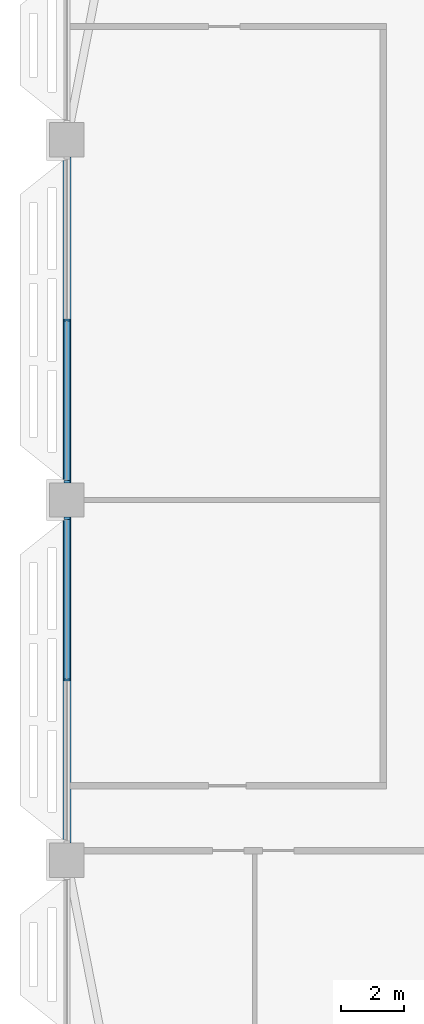
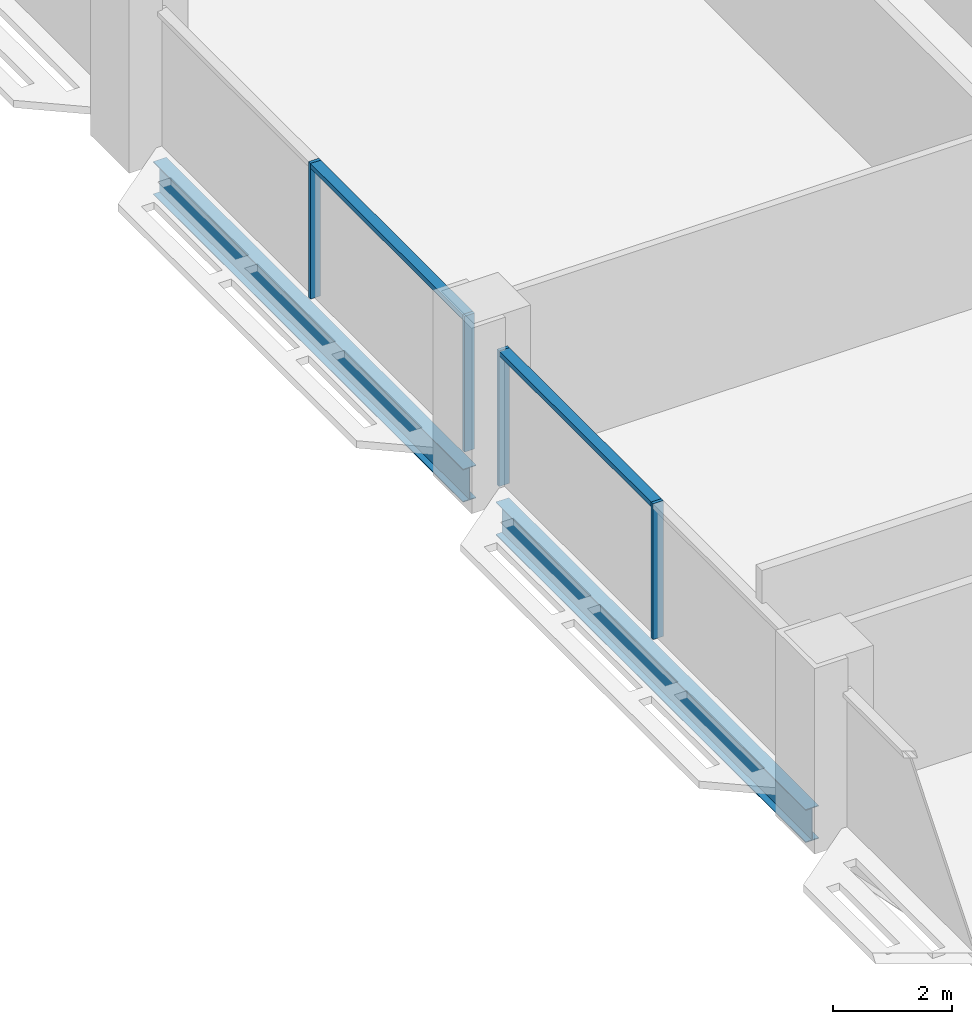
# One storey, part 5 of 29: 6 members, 2 beams, 2 elements without a shape of their own.
"""IFC4 building model written with IfcOpenShell, lengths in metres."""

import ifcopenshell
import ifcopenshell.guid

model = None  # the IFC model being written
_history = None  # IfcOwnerHistory: only IFC2X3 demands one
_inside = {}  # id of a spatial element -> (the spatial element, [elements in it])
_under = {}  # id of a project, library or spatial element -> (it, [spatial elements below it])
_declared = {}  # id of a project -> (the project, [libraries it declares])
_typed = {}  # id of a type object -> (the type object, [elements of that type])
_made_of = {}  # id of a material, layer set ... -> (it, [elements and type objects made of it])


def new_model(schema):
    """Start an empty IFC model of exactly this schema.

    Asked for "IFC4X3", IfcOpenShell would pick the latest addendum, in which some entities
    have other attributes; the version numbers below select the first issue.
    IFC2X3 requires an IfcOwnerHistory on every rooted entity: one is made here for all.
    """
    global model, _history
    if schema == "IFC4X3":
        model = ifcopenshell.file(schema_version=(4, 3, 0, 0))
    else:
        model = ifcopenshell.file(schema=schema)
    _inside.clear()
    _under.clear()
    _declared.clear()
    _typed.clear()
    _made_of.clear()
    _history = None
    if model.schema == "IFC2X3":
        org = make("IfcOrganization", Name="unknown")
        user = make(
            "IfcPersonAndOrganization",
            ThePerson=make("IfcPerson", FamilyName="unknown"),
            TheOrganization=org,
        )
        app = make(
            "IfcApplication",
            ApplicationDeveloper=org,
            Version="unknown",
            ApplicationFullName="unknown",
            ApplicationIdentifier="unknown",
        )
        _history = make(
            "IfcOwnerHistory",
            OwningUser=user,
            OwningApplication=app,
            ChangeAction="ADDED",
            CreationDate=0,
        )
    return model


def make(cls, **values):
    """One entity of the class cls with the attributes given. An attribute that is None is left unset."""
    return model.create_entity(
        cls, **{name: value for name, value in values.items() if value is not None}
    )


def rooted(cls, **values):
    """An entity with a GlobalId (a new one), such as an element, a storey or a relation."""
    return make(cls, GlobalId=ifcopenshell.guid.new(), OwnerHistory=_history, **values)


def si_unit(unit_type, name, prefix=None):
    """IfcSIUnit, for example si_unit("LENGTHUNIT", "METRE", prefix="MILLI")."""
    return make("IfcSIUnit", UnitType=unit_type, Prefix=prefix, Name=name)


def assignment(units):
    """IfcUnitAssignment: the units of a project."""
    return None if units is None else make("IfcUnitAssignment", Units=units)


def point(xyz):
    """IfcCartesianPoint."""
    return None if xyz is None else make("IfcCartesianPoint", Coordinates=xyz)


def direction(xyz):
    """IfcDirection."""
    return None if xyz is None else make("IfcDirection", DirectionRatios=xyz)


def frame(location, z_axis=None, x_axis=None):
    """IfcAxis2Placement3D, a coordinate frame: its origin and axes. An axis left out is left unset."""
    return make(
        "IfcAxis2Placement3D",
        Location=point(location),
        Axis=direction(z_axis),
        RefDirection=direction(x_axis),
    )


def frame_2d(location, x_axis=None):
    """IfcAxis2Placement2D, a coordinate frame in the plane: its origin and x axis."""
    return make(
        "IfcAxis2Placement2D", Location=point(location), RefDirection=direction(x_axis)
    )


def origin():
    """The frame at (0, 0, 0) with its axes left unset."""
    return frame((0.0, 0.0, 0.0))


def origin_2d():
    """The frame at (0, 0) in the plane with its x axis left unset."""
    return frame_2d((0.0, 0.0))


def place(relative_to, where):
    """IfcLocalPlacement: puts the frame where relative to a parent placement (None: the world)."""
    return make(
        "IfcLocalPlacement", PlacementRelTo=relative_to, RelativePlacement=where
    )


def context(
    kind, dimensions, precision=None, world=None, true_north=None, identifier=None
):
    """IfcGeometricRepresentationContext, for example the 3D "Model" context."""
    return make(
        "IfcGeometricRepresentationContext",
        ContextIdentifier=identifier,
        ContextType=kind,
        CoordinateSpaceDimension=dimensions,
        Precision=precision,
        WorldCoordinateSystem=world,
        TrueNorth=true_north,
    )


def subcontext(parent, identifier, kind, view, scale=None):
    """IfcGeometricRepresentationSubContext, for example "Body" below "Model"."""
    return make(
        "IfcGeometricRepresentationSubContext",
        ContextIdentifier=identifier,
        ContextType=kind,
        ParentContext=parent,
        TargetScale=scale,
        TargetView=view,
    )


def project(units=None, contexts=None):
    """IfcProject with its units and contexts."""
    return rooted(
        "IfcProject",
        Name="project",
        RepresentationContexts=contexts,
        UnitsInContext=assignment(units),
    )


def spatial(cls, under=None, at=None, **own):
    """A site, building, storey or space (cls), placed at a placement, below another one or the project."""
    s = rooted(cls, ObjectPlacement=at, **own)
    if under is not None:
        _under.setdefault(under.id(), (under, []))[1].append(s)
    return s


def profile(cls, at=None, kind="AREA", **sizes):
    """A parametric profile (cls). Its sizes go by their IFC names, for example OverallWidth=200.0."""
    return make(cls, ProfileType=kind, Position=at, **sizes)


def rectangle(**sizes):
    """IfcRectangleProfileDef."""
    return profile("IfcRectangleProfileDef", **sizes)


def i_section(**sizes):
    """IfcIShapeProfileDef."""
    return profile("IfcIShapeProfileDef", **sizes)


def extrude(swept, where, along, depth):
    """IfcExtrudedAreaSolid: the profile swept, set in the frame where, extruded along a direction by depth."""
    return make(
        "IfcExtrudedAreaSolid",
        SweptArea=swept,
        Position=where,
        ExtrudedDirection=direction(along),
        Depth=depth,
    )


def shape(context_of_items, identifier, shape_type, items):
    """IfcShapeRepresentation: the items that make up one representation, for example the "Body"."""
    return make(
        "IfcShapeRepresentation",
        ContextOfItems=context_of_items,
        RepresentationIdentifier=identifier,
        RepresentationType=shape_type,
        Items=items,
    )


def material(Name=None, Category=None):
    """IfcMaterial."""
    return make("IfcMaterial", Name=Name, Category=Category)


def material_profile(
    of_material, cross_section, Name=None, Category=None, Priority=None
):
    """IfcMaterialProfile: a cross section and its material."""
    return make(
        "IfcMaterialProfile",
        Name=Name,
        Material=of_material,
        Profile=cross_section,
        Priority=Priority,
        Category=Category,
    )


def profile_set(profiles, Name=None, composite=None):
    """IfcMaterialProfileSet."""
    return make(
        "IfcMaterialProfileSet",
        Name=Name,
        MaterialProfiles=profiles,
        CompositeProfile=composite,
    )


def made_of(thing, what):
    """Note that an element or type object is made of a material, layer set ...; save() writes the relation."""
    if what is not None:
        _made_of.setdefault(what.id(), (what, []))[1].append(thing)
    return thing


def type_object(cls, material=None, **own):
    """A type object (cls), such as IfcWallType, which elements share."""
    return made_of(rooted(cls, **own), material)


def element(
    cls,
    number,
    at=None,
    inside=None,
    cuts=None,
    type_object=None,
    material=None,
    context=None,
    identifier="Body",
    shape_type=None,
    held_by="IfcProductDefinitionShape",
    body=None,
    shapes=None,
    **own,
):
    """One element of the class cls, such as IfcWall. Its Tag is "e" and its number.

    at: its placement. inside: the storey or other place that contains it. cuts: it is an
    opening in that element (IfcRelVoidsElement). A single representation is given by context,
    identifier, shape_type and body (its items); several are given by shapes. held_by: the class
    of the entity that holds the representations. save() writes the other relations.
    """
    e = rooted(cls, Tag="e%d" % number, ObjectPlacement=at, **own)
    if body is not None:
        shapes = [shape(context, identifier, shape_type, body)]
    if shapes is not None:
        e.Representation = make(held_by, Representations=shapes)
    if inside is not None:
        _inside.setdefault(inside.id(), (inside, []))[1].append(e)
    if cuts is not None:
        rooted(
            "IfcRelVoidsElement", RelatingBuildingElement=cuts, RelatedOpeningElement=e
        )
    if type_object is not None:
        _typed.setdefault(type_object.id(), (type_object, []))[1].append(e)
    return made_of(e, material)


def aggregate(whole, parts):
    """IfcRelAggregates: a whole, such as a stair, and the parts it consists of."""
    return rooted("IfcRelAggregates", RelatingObject=whole, RelatedObjects=parts)


def save(model, path):
    """Write the relations noted so far, then the file.

    IfcRelAggregates (storeys below a building ...), IfcRelContainedInSpatialStructure (elements
    in a storey), IfcRelDefinesByType, IfcRelAssociatesMaterial and IfcRelDeclares: one each for
    every whole, place, type object, material and project.
    """
    for whole, parts in _under.values():
        aggregate(whole, parts)
    for where, things in _inside.values():
        rooted(
            "IfcRelContainedInSpatialStructure",
            RelatedElements=things,
            RelatingStructure=where,
        )
    for kind, things in _typed.values():
        rooted("IfcRelDefinesByType", RelatedObjects=things, RelatingType=kind)
    for what, things in _made_of.values():
        rooted("IfcRelAssociatesMaterial", RelatedObjects=things, RelatingMaterial=what)
    for by, libraries in _declared.values():
        rooted("IfcRelDeclares", RelatingContext=by, RelatedDefinitions=libraries)
    model.write(path)


model = new_model("IFC4")

# Units and contexts
model_context = context("Model", 3, precision=1e-05, world=origin(), true_north=direction((0.0, 1.0)))
body_context = subcontext(model_context, "Body", "Model", "MODEL_VIEW")
ifc_project = project(units=[si_unit("LENGTHUNIT", "METRE"), si_unit("AREAUNIT", "SQUARE_METRE"), si_unit("VOLUMEUNIT", "CUBIC_METRE"), si_unit("PLANEANGLEUNIT", "RADIAN"), si_unit("MASSUNIT", "GRAM", prefix="KILO")], contexts=[model_context])

# Site, building, storey
site_placement = place(None, origin())
site = spatial("IfcSite", under=ifc_project, at=site_placement, CompositionType="ELEMENT")
building_placement = place(site_placement, origin())
building = spatial("IfcBuilding", under=site, at=building_placement, Name="Mahtab Terrace Research Tower", CompositionType="ELEMENT")
storey_placement = place(building_placement, frame((0.0, 0.0, 197.699951171875)))
storey = spatial("IfcBuildingStorey", under=building, at=storey_placement, Name="L47", CompositionType="ELEMENT", Elevation=197.699951171875)

# Curtain wall, members
ifc_material_1 = material(Name="Laboratory ribbon curtain wall")
curtain_wall_type = type_object("IfcCurtainWallType", Name="Laboratory ribbon curtain wall", PredefinedType="NOTDEFINED", material=ifc_material_1)
curtain_wall_1_placement = place(storey_placement, origin())
curtain_wall_1 = element("IfcCurtainWall", 1, at=curtain_wall_1_placement, inside=storey, type_object=curtain_wall_type, Name="EN.L47.8.16", PredefinedType="NOTDEFINED")
ifc_material_2 = material(Name="Natural anodised aluminium", Category="aluminium")
ifc_material_profile_1 = material_profile(ifc_material_2, rectangle(XDim=0.199951171875, YDim=0.06494140625, at=origin_2d()), Name="MULLION 65x200")
ifc_profile_set_1 = profile_set([ifc_material_profile_1], Name="Natural anodised aluminium")
member_type_1 = type_object("IfcMemberType", Name="Laboratory ribbon curtain wall mullion", PredefinedType="MULLION", material=ifc_profile_set_1)
member_1_placement = place(storey_placement, frame((-42.0, 5.75, 0.0), z_axis=(0.0, 0.0, 1.0), x_axis=(1.0, 0.0, 0.0)))
member_1 = element("IfcMember", 2, at=member_1_placement, type_object=member_type_1, Name="CWL-6 mullion 2", PredefinedType="MULLION", context=body_context, shape_type="SweptSolid", body=[
    extrude(rectangle(XDim=0.199951171875, YDim=0.06494140625, at=origin_2d()), origin(), (0.0, 0.0, 1.0), 2.78173828125),
])
member_2_placement = place(storey_placement, frame((-42.0, 0.58251953125, 0.0), z_axis=(0.0, 0.0, 1.0), x_axis=(1.0, 0.0, 0.0)))
member_2 = element("IfcMember", 3, at=member_2_placement, type_object=member_type_1, Name="CWL-6 mullion 3", PredefinedType="MULLION", context=body_context, shape_type="SweptSolid", body=[
    extrude(rectangle(XDim=0.199951171875, YDim=0.06494140625, at=origin_2d()), origin(), (0.0, 0.0, 1.0), 2.78173828125),
])

curtain_wall_2_placement = place(storey_placement, origin())
curtain_wall_2 = element("IfcCurtainWall", 4, at=curtain_wall_2_placement, inside=storey, type_object=curtain_wall_type, Name="EN.L47.8.17", PredefinedType="NOTDEFINED")
member_3_placement = place(storey_placement, frame((-42.0, -0.58251953125, 0.0), z_axis=(0.0, 0.0, 1.0), x_axis=(1.0, 0.0, 0.0)))
member_3 = element("IfcMember", 5, at=member_3_placement, type_object=member_type_1, Name="CWL-6 mullion 1", PredefinedType="MULLION", context=body_context, shape_type="SweptSolid", body=[
    extrude(rectangle(XDim=0.199951171875, YDim=0.06494140625, at=origin_2d()), origin(), (0.0, 0.0, 1.0), 2.78173828125),
])
member_4_placement = place(storey_placement, frame((-42.0, -5.75, 0.0), z_axis=(0.0, 0.0, 1.0), x_axis=(1.0, 0.0, 0.0)))
member_4 = element("IfcMember", 6, at=member_4_placement, type_object=member_type_1, Name="CWL-6 mullion 2", PredefinedType="MULLION", context=body_context, shape_type="SweptSolid", body=[
    extrude(rectangle(XDim=0.199951171875, YDim=0.06494140625, at=origin_2d()), origin(), (0.0, 0.0, 1.0), 2.78173828125),
])

# Member
ifc_material_profile_2 = material_profile(ifc_material_2, rectangle(XDim=0.199951171875, YDim=0.10009765625, at=origin_2d()), Name="TRANSOM 100x200")
ifc_profile_set_2 = profile_set([ifc_material_profile_2], Name="Natural anodised aluminium")
member_type_2 = type_object("IfcMemberType", Name="Laboratory ribbon curtain wall transom", PredefinedType="USERDEFINED", material=ifc_profile_set_2)
member_5_placement = place(storey_placement, frame((-42.0, 5.717529296875, 2.73193359375), z_axis=(0.0, -1.0, 0.0), x_axis=(1.0, 0.0, 0.0)))
member_5 = element("IfcMember", 7, at=member_5_placement, type_object=member_type_2, Name="CWL-6 transom 2", ObjectType="TRANSOM", PredefinedType="USERDEFINED", context=body_context, shape_type="SweptSolid", body=[
    extrude(rectangle(XDim=0.199951171875, YDim=0.10009765625, at=origin_2d()), origin(), (0.0, 0.0, 1.0), 5.1025390625),
])

aggregate(curtain_wall_1, [member_1, member_2, member_5])

member_6_placement = place(storey_placement, frame((-42.0, -0.614990234375, 2.73193359375), z_axis=(0.0, -1.0, 0.0), x_axis=(1.0, 0.0, 0.0)))
member_6 = element("IfcMember", 8, at=member_6_placement, type_object=member_type_2, Name="CWL-6 transom 1", ObjectType="TRANSOM", PredefinedType="USERDEFINED", context=body_context, shape_type="SweptSolid", body=[
    extrude(rectangle(XDim=0.199951171875, YDim=0.10009765625, at=origin_2d()), origin(), (0.0, 0.0, 1.0), 5.1025390625),
])

aggregate(curtain_wall_2, [member_3, member_4, member_6])

# Beams
ifc_material_3 = material(Name="Steel ASTM A992 Gr 50", Category="steel")
ifc_material_profile_3 = material_profile(ifc_material_3, i_section(OverallWidth=0.25390625, OverallDepth=0.67822265625, WebThickness=0.01171875, FlangeThickness=0.016357421875, at=origin_2d()), Name="W27X84")
ifc_profile_set_3 = profile_set([ifc_material_profile_3], Name="Steel ASTM A992 Gr 50")
beam_type = type_object("IfcBeamType", Name="W27x84 beam BS2784", PredefinedType="BEAM", material=ifc_profile_set_3)
for number, where, z_axis, x_axis, name in (
    (9, (-42.0, 10.949951171875, -0.678955078125), (0.0, -1.0, 0.0), (1.0, 0.0, 0.0), "Spandrel beam L47 10"),
    (10, (-42.0, -0.550048828125, -0.678955078125), (0.0, -1.0, 0.0), (1.0, 0.0, 0.0), "Spandrel beam L47 11"),
):
    element("IfcBeam", number, at=place(storey_placement, frame(where, z_axis=z_axis, x_axis=x_axis)), inside=storey, type_object=beam_type, Name=name, PredefinedType="BEAM", context=body_context, shape_type="SweptSolid", body=[
        extrude(i_section(OverallWidth=0.25390625, OverallDepth=0.67822265625, WebThickness=0.01171875, FlangeThickness=0.016357421875, at=origin_2d()), origin(), (0.0, 0.0, 1.0), 10.39990234375),
    ])

save(model, "model.ifc")
